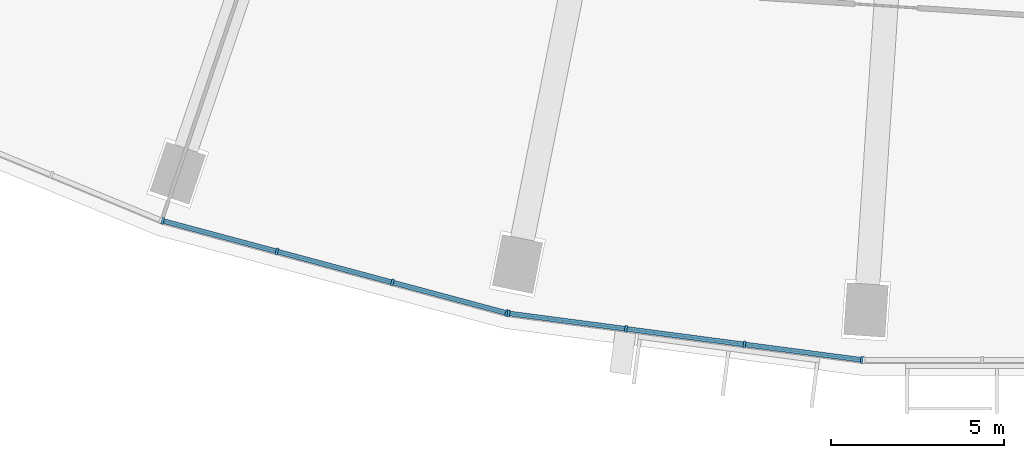
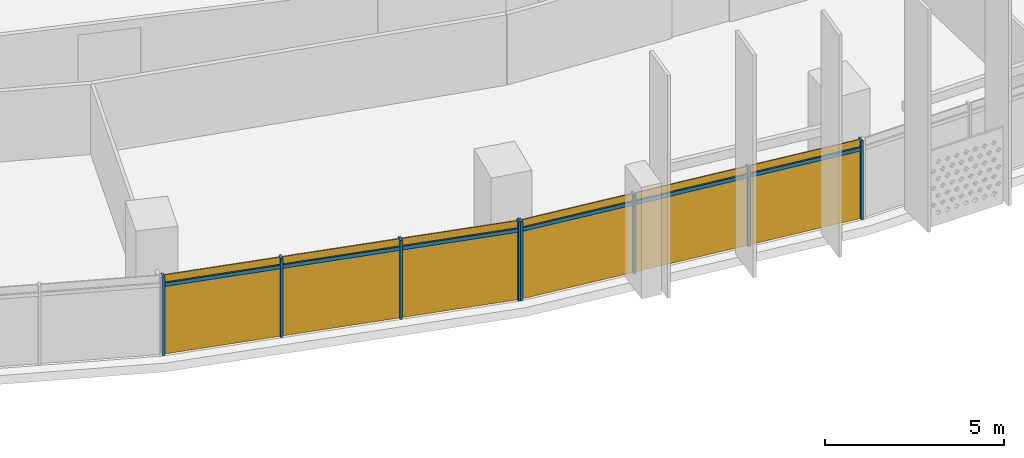
# One storey, part 19 of 33: 14 members, 2 curtain walls.
"""IFC4 building model written with IfcOpenShell, lengths in metres."""

import ifcopenshell
import ifcopenshell.guid

model = None  # the IFC model being written
_history = None  # IfcOwnerHistory: only IFC2X3 demands one
_inside = {}  # id of a spatial element -> (the spatial element, [elements in it])
_under = {}  # id of a project, library or spatial element -> (it, [spatial elements below it])
_declared = {}  # id of a project -> (the project, [libraries it declares])
_typed = {}  # id of a type object -> (the type object, [elements of that type])
_made_of = {}  # id of a material, layer set ... -> (it, [elements and type objects made of it])


def new_model(schema):
    """Start an empty IFC model of exactly this schema.

    Asked for "IFC4X3", IfcOpenShell would pick the latest addendum, in which some entities
    have other attributes; the version numbers below select the first issue.
    IFC2X3 requires an IfcOwnerHistory on every rooted entity: one is made here for all.
    """
    global model, _history
    if schema == "IFC4X3":
        model = ifcopenshell.file(schema_version=(4, 3, 0, 0))
    else:
        model = ifcopenshell.file(schema=schema)
    _inside.clear()
    _under.clear()
    _declared.clear()
    _typed.clear()
    _made_of.clear()
    _history = None
    if model.schema == "IFC2X3":
        org = make("IfcOrganization", Name="unknown")
        user = make(
            "IfcPersonAndOrganization",
            ThePerson=make("IfcPerson", FamilyName="unknown"),
            TheOrganization=org,
        )
        app = make(
            "IfcApplication",
            ApplicationDeveloper=org,
            Version="unknown",
            ApplicationFullName="unknown",
            ApplicationIdentifier="unknown",
        )
        _history = make(
            "IfcOwnerHistory",
            OwningUser=user,
            OwningApplication=app,
            ChangeAction="ADDED",
            CreationDate=0,
        )
    return model


def make(cls, **values):
    """One entity of the class cls with the attributes given. An attribute that is None is left unset."""
    return model.create_entity(
        cls, **{name: value for name, value in values.items() if value is not None}
    )


def rooted(cls, **values):
    """An entity with a GlobalId (a new one), such as an element, a storey or a relation."""
    return make(cls, GlobalId=ifcopenshell.guid.new(), OwnerHistory=_history, **values)


def si_unit(unit_type, name, prefix=None):
    """IfcSIUnit, for example si_unit("LENGTHUNIT", "METRE", prefix="MILLI")."""
    return make("IfcSIUnit", UnitType=unit_type, Prefix=prefix, Name=name)


def assignment(units):
    """IfcUnitAssignment: the units of a project."""
    return None if units is None else make("IfcUnitAssignment", Units=units)


def point(xyz):
    """IfcCartesianPoint."""
    return None if xyz is None else make("IfcCartesianPoint", Coordinates=xyz)


def direction(xyz):
    """IfcDirection."""
    return None if xyz is None else make("IfcDirection", DirectionRatios=xyz)


def frame(location, z_axis=None, x_axis=None):
    """IfcAxis2Placement3D, a coordinate frame: its origin and axes. An axis left out is left unset."""
    return make(
        "IfcAxis2Placement3D",
        Location=point(location),
        Axis=direction(z_axis),
        RefDirection=direction(x_axis),
    )


def frame_2d(location, x_axis=None):
    """IfcAxis2Placement2D, a coordinate frame in the plane: its origin and x axis."""
    return make(
        "IfcAxis2Placement2D", Location=point(location), RefDirection=direction(x_axis)
    )


def origin():
    """The frame at (0, 0, 0) with its axes left unset."""
    return frame((0.0, 0.0, 0.0))


def origin_2d():
    """The frame at (0, 0) in the plane with its x axis left unset."""
    return frame_2d((0.0, 0.0))


def place(relative_to, where):
    """IfcLocalPlacement: puts the frame where relative to a parent placement (None: the world)."""
    return make(
        "IfcLocalPlacement", PlacementRelTo=relative_to, RelativePlacement=where
    )


def context(
    kind, dimensions, precision=None, world=None, true_north=None, identifier=None
):
    """IfcGeometricRepresentationContext, for example the 3D "Model" context."""
    return make(
        "IfcGeometricRepresentationContext",
        ContextIdentifier=identifier,
        ContextType=kind,
        CoordinateSpaceDimension=dimensions,
        Precision=precision,
        WorldCoordinateSystem=world,
        TrueNorth=true_north,
    )


def subcontext(parent, identifier, kind, view, scale=None):
    """IfcGeometricRepresentationSubContext, for example "Body" below "Model"."""
    return make(
        "IfcGeometricRepresentationSubContext",
        ContextIdentifier=identifier,
        ContextType=kind,
        ParentContext=parent,
        TargetScale=scale,
        TargetView=view,
    )


def project(units=None, contexts=None):
    """IfcProject with its units and contexts."""
    return rooted(
        "IfcProject",
        Name="project",
        RepresentationContexts=contexts,
        UnitsInContext=assignment(units),
    )


def spatial(cls, under=None, at=None, **own):
    """A site, building, storey or space (cls), placed at a placement, below another one or the project."""
    s = rooted(cls, ObjectPlacement=at, **own)
    if under is not None:
        _under.setdefault(under.id(), (under, []))[1].append(s)
    return s


def profile(cls, at=None, kind="AREA", **sizes):
    """A parametric profile (cls). Its sizes go by their IFC names, for example OverallWidth=200.0."""
    return make(cls, ProfileType=kind, Position=at, **sizes)


def rectangle(**sizes):
    """IfcRectangleProfileDef."""
    return profile("IfcRectangleProfileDef", **sizes)


def extrude(swept, where, along, depth):
    """IfcExtrudedAreaSolid: the profile swept, set in the frame where, extruded along a direction by depth."""
    return make(
        "IfcExtrudedAreaSolid",
        SweptArea=swept,
        Position=where,
        ExtrudedDirection=direction(along),
        Depth=depth,
    )


def shape(context_of_items, identifier, shape_type, items):
    """IfcShapeRepresentation: the items that make up one representation, for example the "Body"."""
    return make(
        "IfcShapeRepresentation",
        ContextOfItems=context_of_items,
        RepresentationIdentifier=identifier,
        RepresentationType=shape_type,
        Items=items,
    )


def material(Name=None, Category=None):
    """IfcMaterial."""
    return make("IfcMaterial", Name=Name, Category=Category)


def material_profile(
    of_material, cross_section, Name=None, Category=None, Priority=None
):
    """IfcMaterialProfile: a cross section and its material."""
    return make(
        "IfcMaterialProfile",
        Name=Name,
        Material=of_material,
        Profile=cross_section,
        Priority=Priority,
        Category=Category,
    )


def profile_set(profiles, Name=None, composite=None):
    """IfcMaterialProfileSet."""
    return make(
        "IfcMaterialProfileSet",
        Name=Name,
        MaterialProfiles=profiles,
        CompositeProfile=composite,
    )


def made_of(thing, what):
    """Note that an element or type object is made of a material, layer set ...; save() writes the relation."""
    if what is not None:
        _made_of.setdefault(what.id(), (what, []))[1].append(thing)
    return thing


def type_object(cls, material=None, **own):
    """A type object (cls), such as IfcWallType, which elements share."""
    return made_of(rooted(cls, **own), material)


def element(
    cls,
    number,
    at=None,
    inside=None,
    cuts=None,
    type_object=None,
    material=None,
    context=None,
    identifier="Body",
    shape_type=None,
    held_by="IfcProductDefinitionShape",
    body=None,
    shapes=None,
    **own,
):
    """One element of the class cls, such as IfcWall. Its Tag is "e" and its number.

    at: its placement. inside: the storey or other place that contains it. cuts: it is an
    opening in that element (IfcRelVoidsElement). A single representation is given by context,
    identifier, shape_type and body (its items); several are given by shapes. held_by: the class
    of the entity that holds the representations. save() writes the other relations.
    """
    e = rooted(cls, Tag="e%d" % number, ObjectPlacement=at, **own)
    if body is not None:
        shapes = [shape(context, identifier, shape_type, body)]
    if shapes is not None:
        e.Representation = make(held_by, Representations=shapes)
    if inside is not None:
        _inside.setdefault(inside.id(), (inside, []))[1].append(e)
    if cuts is not None:
        rooted(
            "IfcRelVoidsElement", RelatingBuildingElement=cuts, RelatedOpeningElement=e
        )
    if type_object is not None:
        _typed.setdefault(type_object.id(), (type_object, []))[1].append(e)
    return made_of(e, material)


def aggregate(whole, parts):
    """IfcRelAggregates: a whole, such as a stair, and the parts it consists of."""
    return rooted("IfcRelAggregates", RelatingObject=whole, RelatedObjects=parts)


def save(model, path):
    """Write the relations noted so far, then the file.

    IfcRelAggregates (storeys below a building ...), IfcRelContainedInSpatialStructure (elements
    in a storey), IfcRelDefinesByType, IfcRelAssociatesMaterial and IfcRelDeclares: one each for
    every whole, place, type object, material and project.
    """
    for whole, parts in _under.values():
        aggregate(whole, parts)
    for where, things in _inside.values():
        rooted(
            "IfcRelContainedInSpatialStructure",
            RelatedElements=things,
            RelatingStructure=where,
        )
    for kind, things in _typed.values():
        rooted("IfcRelDefinesByType", RelatedObjects=things, RelatingType=kind)
    for what, things in _made_of.values():
        rooted("IfcRelAssociatesMaterial", RelatedObjects=things, RelatingMaterial=what)
    for by, libraries in _declared.values():
        rooted("IfcRelDeclares", RelatingContext=by, RelatedDefinitions=libraries)
    model.write(path)


model = new_model("IFC4")

# Units and contexts
model_context = context("Model", 3, precision=1e-05, world=origin(), true_north=direction((0.0, 1.0)))
body_context = subcontext(model_context, "Body", "Model", "MODEL_VIEW")
ifc_project = project(units=[si_unit("LENGTHUNIT", "METRE"), si_unit("AREAUNIT", "SQUARE_METRE"), si_unit("VOLUMEUNIT", "CUBIC_METRE"), si_unit("PLANEANGLEUNIT", "RADIAN"), si_unit("MASSUNIT", "GRAM", prefix="KILO")], contexts=[model_context])

# Member
ifc_material = material(Name="Aluminium 6063-T6 anodised", Category="aluminium")
ifc_material_profile_1 = material_profile(ifc_material, rectangle(XDim=0.199951171875, YDim=0.070068359375, at=origin_2d()))
ifc_profile_set_1 = profile_set([ifc_material_profile_1], Name="Aluminium 6063-T6 anodised")
member_type_1 = type_object("IfcMemberType", Name="Mullion 70 x 200 aluminium", PredefinedType="MULLION", material=ifc_profile_set_1)
site_placement = place(None, origin())
building_placement = place(site_placement, origin())
storey_placement = place(building_placement, frame((0.0, 0.0, 94.89990234375)))
member_1_placement = place(storey_placement, frame((-25.430419921875, -75.00390625, 0.0), z_axis=(0.0, 0.0, 1.0), x_axis=(0.258819045103, 0.965925826289, 0.0)))
member_1 = element("IfcMember", 1, at=member_1_placement, type_object=member_type_1, Name="e-cw1-L20-out07/M00", PredefinedType="MULLION", context=body_context, shape_type="SweptSolid", body=[
    extrude(rectangle(XDim=0.199951171875, YDim=0.070068359375, at=origin_2d()), origin(), (0.0, 0.0, 1.0), 2.7001953125),
])

member_2_placement = place(storey_placement, frame((-22.12451171875, -75.889892578125, 0.0), z_axis=(0.0, 0.0, 1.0), x_axis=(0.258819045103, 0.965925826289, 0.0)))
member_2 = element("IfcMember", 2, at=member_2_placement, type_object=member_type_1, Name="e-cw1-L20-out07/M01", PredefinedType="MULLION", context=body_context, shape_type="SweptSolid", body=[
    extrude(rectangle(XDim=0.199951171875, YDim=0.070068359375, at=origin_2d()), origin(), (0.0, 0.0, 1.0), 2.7001953125),
])

member_3_placement = place(storey_placement, frame((-18.78466796875, -76.78466796875, 0.0), z_axis=(0.0, 0.0, 1.0), x_axis=(0.258819045103, 0.965925826289, 0.0)))
member_3 = element("IfcMember", 3, at=member_3_placement, type_object=member_type_1, Name="e-cw1-L20-out07/M02", PredefinedType="MULLION", context=body_context, shape_type="SweptSolid", body=[
    extrude(rectangle(XDim=0.199951171875, YDim=0.070068359375, at=origin_2d()), origin(), (0.0, 0.0, 1.0), 2.7001953125),
])

member_4_placement = place(storey_placement, frame((-15.478515625, -77.670654296875, 0.0), z_axis=(0.0, 0.0, 1.0), x_axis=(0.258819045103, 0.965925826289, 0.0)))
member_4 = element("IfcMember", 4, at=member_4_placement, type_object=member_type_1, Name="e-cw1-L20-out07/M03", PredefinedType="MULLION", context=body_context, shape_type="SweptSolid", body=[
    extrude(rectangle(XDim=0.199951171875, YDim=0.070068359375, at=origin_2d()), origin(), (0.0, 0.0, 1.0), 2.7001953125),
])

member_5_placement = place(storey_placement, frame((-15.4228515625, -77.681640625, 0.0), z_axis=(0.0, 0.0, 1.0), x_axis=(0.13052619222, 0.991444861374, 0.0)))
member_5 = element("IfcMember", 5, at=member_5_placement, type_object=member_type_1, Name="e-cw1-L20-out08/M00", PredefinedType="MULLION", context=body_context, shape_type="SweptSolid", body=[
    extrude(rectangle(XDim=0.199951171875, YDim=0.070068359375, at=origin_2d()), origin(), (0.0, 0.0, 1.0), 2.7001953125),
])

member_6_placement = place(storey_placement, frame((-12.029541015625, -78.12841796875, 0.0), z_axis=(0.0, 0.0, 1.0), x_axis=(0.13052619222, 0.991444861374, 0.0)))
member_6 = element("IfcMember", 6, at=member_6_placement, type_object=member_type_1, Name="e-cw1-L20-out08/M01", PredefinedType="MULLION", context=body_context, shape_type="SweptSolid", body=[
    extrude(rectangle(XDim=0.199951171875, YDim=0.070068359375, at=origin_2d()), origin(), (0.0, 0.0, 1.0), 2.7001953125),
])

member_7_placement = place(storey_placement, frame((-8.6015625, -78.579833984375, 0.0), z_axis=(0.0, 0.0, 1.0), x_axis=(0.13052619222, 0.991444861374, 0.0)))
member_7 = element("IfcMember", 7, at=member_7_placement, type_object=member_type_1, Name="e-cw1-L20-out08/M02", PredefinedType="MULLION", context=body_context, shape_type="SweptSolid", body=[
    extrude(rectangle(XDim=0.199951171875, YDim=0.070068359375, at=origin_2d()), origin(), (0.0, 0.0, 1.0), 2.7001953125),
])

member_8_placement = place(storey_placement, frame((-5.2080078125, -79.026611328125, 0.0), z_axis=(0.0, 0.0, 1.0), x_axis=(0.13052619222, 0.991444861374, 0.0)))
member_8 = element("IfcMember", 8, at=member_8_placement, type_object=member_type_1, Name="e-cw1-L20-out08/M03", PredefinedType="MULLION", context=body_context, shape_type="SweptSolid", body=[
    extrude(rectangle(XDim=0.199951171875, YDim=0.070068359375, at=origin_2d()), origin(), (0.0, 0.0, 1.0), 2.7001953125),
])

ifc_material_profile_2 = material_profile(ifc_material, rectangle(XDim=0.139892578125, YDim=0.1201171875, at=origin_2d()))
ifc_profile_set_2 = profile_set([ifc_material_profile_2], Name="Aluminium 6063-T6 anodised")
member_type_2 = type_object("IfcMemberType", Name="Transom 120 x 140 aluminium", PredefinedType="USERDEFINED", material=ifc_profile_set_2)
member_9_placement = place(storey_placement, frame((-25.396728515625, -75.01318359375, 2.400146484375), z_axis=(0.965932125453, -0.258795535157, 0.0), x_axis=(0.258795535157, 0.965932125453, 0.0)))
member_9 = element("IfcMember", 9, at=member_9_placement, type_object=member_type_2, Name="e-cw1-L20-out07/T00", ObjectType="TRANSOM", PredefinedType="USERDEFINED", context=body_context, shape_type="SweptSolid", body=[
    extrude(rectangle(XDim=0.139892578125, YDim=0.1201171875, at=origin_2d()), origin(), (0.0, 0.0, 1.0), 3.352783203125),
])

member_10_placement = place(storey_placement, frame((-22.090576171875, -75.89892578125, 2.400146484375), z_axis=(0.965931646033, -0.258797324547, 0.0), x_axis=(0.258797324547, 0.965931646033, 0.0)))
member_10 = element("IfcMember", 10, at=member_10_placement, type_object=member_type_2, Name="e-cw1-L20-out07/T01", ObjectType="TRANSOM", PredefinedType="USERDEFINED", context=body_context, shape_type="SweptSolid", body=[
    extrude(rectangle(XDim=0.139892578125, YDim=0.1201171875, at=origin_2d()), origin(), (0.0, 0.0, 1.0), 3.3876953125),
])

member_11_placement = place(storey_placement, frame((-18.750732421875, -76.7939453125, 2.400146484375), z_axis=(0.965927247937, -0.258813739382, 0.0), x_axis=(0.258813739382, 0.965927247937, 0.0)))
member_11 = element("IfcMember", 11, at=member_11_placement, type_object=member_type_2, Name="e-cw1-L20-out07/T02", ObjectType="TRANSOM", PredefinedType="USERDEFINED", context=body_context, shape_type="SweptSolid", body=[
    extrude(rectangle(XDim=0.139892578125, YDim=0.1201171875, at=origin_2d()), origin(), (0.0, 0.0, 1.0), 3.3525390625),
])

member_12_placement = place(storey_placement, frame((-15.38818359375, -77.686279296875, 2.400146484375), z_axis=(0.991449089759, -0.130494070426, 0.0), x_axis=(0.130494070426, 0.991449089759, 0.0)))
member_12 = element("IfcMember", 12, at=member_12_placement, type_object=member_type_2, Name="e-cw1-L20-out08/T00", ObjectType="TRANSOM", PredefinedType="USERDEFINED", context=body_context, shape_type="SweptSolid", body=[
    extrude(rectangle(XDim=0.139892578125, YDim=0.1201171875, at=origin_2d()), origin(), (0.0, 0.0, 1.0), 3.3525390625),
])

member_13_placement = place(storey_placement, frame((-11.994873046875, -78.133056640625, 2.400146484375), z_axis=(0.991446198807, -0.130516033004, 0.0), x_axis=(0.130516033004, 0.991446198807, 0.0)))
member_13 = element("IfcMember", 13, at=member_13_placement, type_object=member_type_2, Name="e-cw1-L20-out08/T01", ObjectType="TRANSOM", PredefinedType="USERDEFINED", context=body_context, shape_type="SweptSolid", body=[
    extrude(rectangle(XDim=0.139892578125, YDim=0.1201171875, at=origin_2d()), origin(), (0.0, 0.0, 1.0), 3.3876953125),
])

member_14_placement = place(storey_placement, frame((-8.56689453125, -78.584228515625, 2.400146484375), z_axis=(0.991439665896, -0.130565649721, 0.0), x_axis=(0.130565649721, 0.991439665896, 0.0)))
member_14 = element("IfcMember", 14, at=member_14_placement, type_object=member_type_2, Name="e-cw1-L20-out08/T02", ObjectType="TRANSOM", PredefinedType="USERDEFINED", context=body_context, shape_type="SweptSolid", body=[
    extrude(rectangle(XDim=0.139892578125, YDim=0.1201171875, at=origin_2d()), origin(), (0.0, 0.0, 1.0), 3.352783203125),
])

# Site, building, storey
site = spatial("IfcSite", under=ifc_project, at=site_placement, CompositionType="ELEMENT")
building = spatial("IfcBuilding", under=site, at=building_placement, Name="Qamariyya Broadcast Tower", CompositionType="ELEMENT")
storey = spatial("IfcBuildingStorey", under=building, at=storey_placement, Name="L20", CompositionType="ELEMENT", Elevation=94.89990234375)

# Curtain wall
curtain_wall_type = type_object("IfcCurtainWallType", Name="Unitised curtain wall, anodised aluminium", PredefinedType="NOTDEFINED", material=ifc_material)
curtain_wall_1_placement = place(storey_placement, origin())
curtain_wall_1 = element("IfcCurtainWall", 15, at=curtain_wall_1_placement, inside=storey, type_object=curtain_wall_type, Name="e-cw1-L20-out07", PredefinedType="NOTDEFINED", context=body_context, shape_type="SweptSolid", body=[
    extrude(rectangle(XDim=3.352783203125, YDim=0.031982421875, at=origin_2d()), frame((-23.777587890625, -75.44677734375, 0.0), x_axis=(0.965923677743, -0.258827063454, 0.0)), (0.0, 0.0, 1.0), 2.340087890625),
    extrude(rectangle(XDim=3.352783203125, YDim=0.031982421875, at=origin_2d()), frame((-23.777587890625, -75.44677734375, 2.460205078125), x_axis=(0.965923677743, -0.258827063454, 0.0)), (0.0, 0.0, 1.0), 0.239990234375),
    extrude(rectangle(XDim=3.3876953125, YDim=0.031982421875, at=origin_2d()), frame((-20.45458984375, -76.33740234375, 0.0), x_axis=(0.965923677743, -0.258827063454, 0.0)), (0.0, 0.0, 1.0), 2.340087890625),
    extrude(rectangle(XDim=3.3876953125, YDim=0.031982421875, at=origin_2d()), frame((-20.45458984375, -76.33740234375, 2.460205078125), x_axis=(0.965923677743, -0.258827063454, 0.0)), (0.0, 0.0, 1.0), 0.239990234375),
    extrude(rectangle(XDim=3.352783203125, YDim=0.031982421875, at=origin_2d()), frame((-17.131591796875, -77.227783203125, 0.0), x_axis=(0.965923677743, -0.258827063454, 0.0)), (0.0, 0.0, 1.0), 2.340087890625),
    extrude(rectangle(XDim=3.352783203125, YDim=0.031982421875, at=origin_2d()), frame((-17.131591796875, -77.227783203125, 2.460205078125), x_axis=(0.965923677743, -0.258827063454, 0.0)), (0.0, 0.0, 1.0), 0.239990234375),
])

aggregate(curtain_wall_1, [member_1, member_2, member_3, member_4, member_9, member_10, member_11])

curtain_wall_2_placement = place(storey_placement, origin())
curtain_wall_2 = element("IfcCurtainWall", 16, at=curtain_wall_2_placement, inside=storey, type_object=curtain_wall_type, Name="e-cw1-L20-out08", PredefinedType="NOTDEFINED", context=body_context, shape_type="SweptSolid", body=[
    extrude(rectangle(XDim=3.3525390625, YDim=0.031982421875, at=origin_2d()), frame((-13.72607421875, -77.9052734375, 0.0), x_axis=(0.991447084105, -0.13050930779, 0.0)), (0.0, 0.0, 1.0), 2.340087890625),
    extrude(rectangle(XDim=3.3525390625, YDim=0.031982421875, at=origin_2d()), frame((-13.72607421875, -77.9052734375, 2.460205078125), x_axis=(0.991447084105, -0.13050930779, 0.0)), (0.0, 0.0, 1.0), 0.239990234375),
    extrude(rectangle(XDim=3.3876953125, YDim=0.031982421875, at=origin_2d()), frame((-10.3154296875, -78.35400390625, 0.0), x_axis=(0.991447084105, -0.13050930779, 0.0)), (0.0, 0.0, 1.0), 2.340087890625),
    extrude(rectangle(XDim=3.3876953125, YDim=0.031982421875, at=origin_2d()), frame((-10.3154296875, -78.35400390625, 2.460205078125), x_axis=(0.991447084105, -0.13050930779, 0.0)), (0.0, 0.0, 1.0), 0.239990234375),
    extrude(rectangle(XDim=3.3525390625, YDim=0.031982421875, at=origin_2d()), frame((-6.90478515625, -78.802978515625, 0.0), x_axis=(0.991447084105, -0.13050930779, 0.0)), (0.0, 0.0, 1.0), 2.340087890625),
    extrude(rectangle(XDim=3.3525390625, YDim=0.031982421875, at=origin_2d()), frame((-6.90478515625, -78.802978515625, 2.460205078125), x_axis=(0.991447084105, -0.13050930779, 0.0)), (0.0, 0.0, 1.0), 0.239990234375),
])

aggregate(curtain_wall_2, [member_5, member_6, member_7, member_8, member_12, member_13, member_14])

save(model, "model.ifc")
